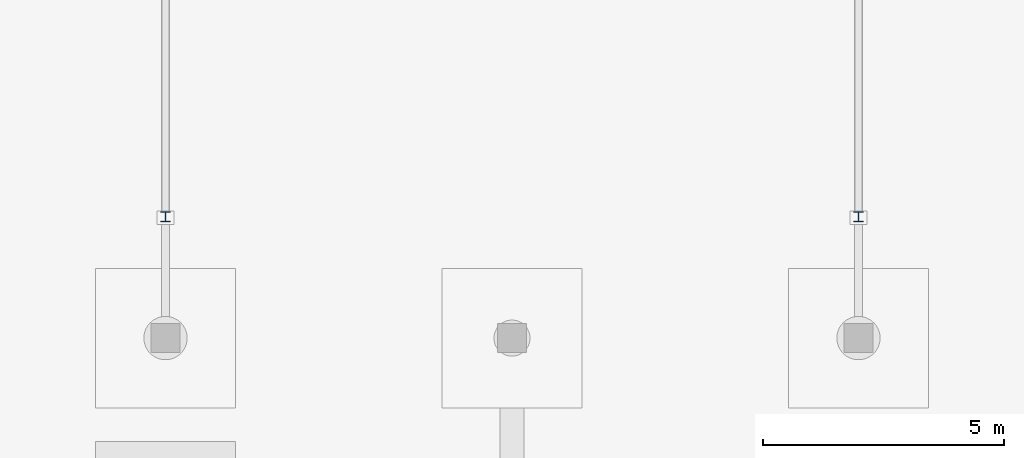
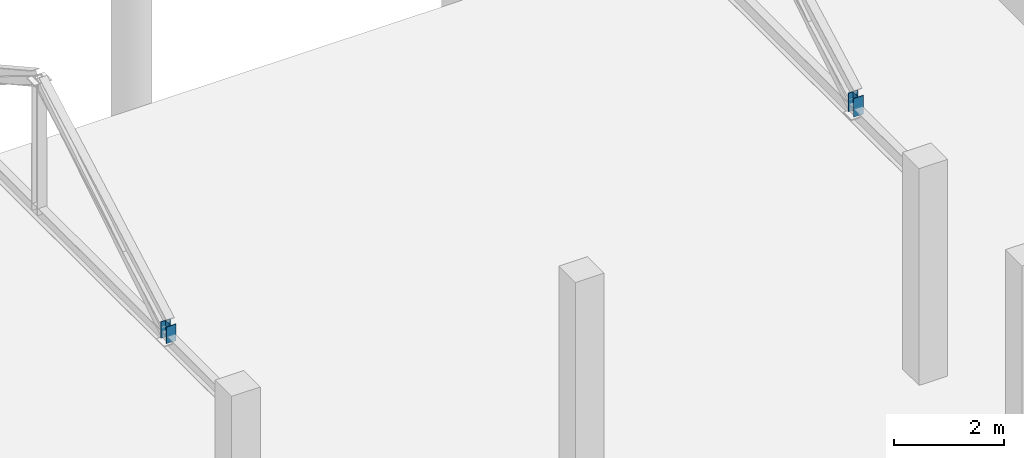
# One storey, part 154 of 285: 2 members.
"""IFC4 building model written with IfcOpenShell, lengths in metres."""

from ifc_helpers import new_model, si_unit, direction, frame, origin, origin_2d, place, context, subcontext, project, spatial, i_section, extrude, material, material_profile, profile_set, type_object, element, save


model = new_model("IFC4")

# Units and contexts
model_context = context("Model", 3, precision=1e-05, world=origin(), true_north=direction((0.0, 1.0)))
body_context = subcontext(model_context, "Body", "Model", "MODEL_VIEW")
ifc_project = project(units=[si_unit("LENGTHUNIT", "METRE"), si_unit("AREAUNIT", "SQUARE_METRE"), si_unit("VOLUMEUNIT", "CUBIC_METRE"), si_unit("PLANEANGLEUNIT", "RADIAN"), si_unit("MASSUNIT", "GRAM", prefix="KILO")], contexts=[model_context])

# Site, building, storey
site_placement = place(None, origin())
site = spatial("IfcSite", under=ifc_project, at=site_placement, CompositionType="ELEMENT")
building_placement = place(site_placement, origin())
building = spatial("IfcBuilding", under=site, at=building_placement, Name="Solanera Park Tramway Depot", CompositionType="ELEMENT")
storey_placement = place(building_placement, origin())
storey = spatial("IfcBuildingStorey", under=building, at=storey_placement, Name="L00", CompositionType="ELEMENT", Elevation=0.0)

# Members
ifc_material = material(Name="Steel AS/NZS 3679.1 Grade 350", Category="steel")
ifc_material_profile = material_profile(ifc_material, i_section(OverallWidth=0.205078125, OverallDepth=0.209716796875, WebThickness=0.00927734375, FlangeThickness=0.01416015625, at=origin_2d()), Name="200UC59.5")
ifc_profile_set = profile_set([ifc_material_profile], Name="Steel AS/NZS 3679.1 Grade 350")
member_type = type_object("IfcMemberType", Name="Roof Gantry Compression Strut 200UC59.5", PredefinedType="STRUT", material=ifc_profile_set)
member_1_placement = place(storey_placement, frame((165.60009765625, 88.919921875, 4.246337890625), z_axis=(0.0, 0.0, 1.0), x_axis=(1.0, 0.0, 0.0)))
element("IfcMember", 1, at=member_1_placement, inside=storey, type_object=member_type, Name="Hip ROOF TRUSS Heel Post #0167", PredefinedType="STRUT", context=body_context, shape_type="SweptSolid", body=[
    extrude(i_section(OverallWidth=0.205078125, OverallDepth=0.209716796875, WebThickness=0.00927734375, FlangeThickness=0.01416015625, at=origin_2d()), origin(), (0.0, 0.0, 1.0), 0.3671875),
])
member_2_placement = place(storey_placement, frame((180.0, 88.919921875, 4.22216796875), z_axis=(0.0, 0.0, 1.0), x_axis=(1.0, 0.0, 0.0)))
element("IfcMember", 2, at=member_2_placement, inside=storey, type_object=member_type, Name="Hip ROOF TRUSS Heel Post #0170", PredefinedType="STRUT", context=body_context, shape_type="SweptSolid", body=[
    extrude(i_section(OverallWidth=0.205078125, OverallDepth=0.209716796875, WebThickness=0.00927734375, FlangeThickness=0.01416015625, at=origin_2d()), origin(), (0.0, 0.0, 1.0), 0.41552734375),
])

save(model, "model.ifc")
